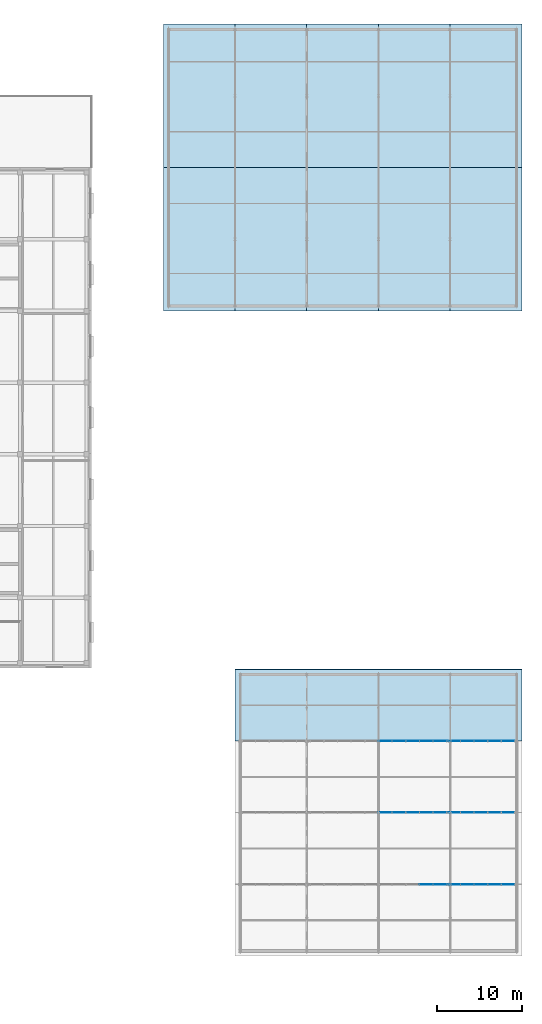
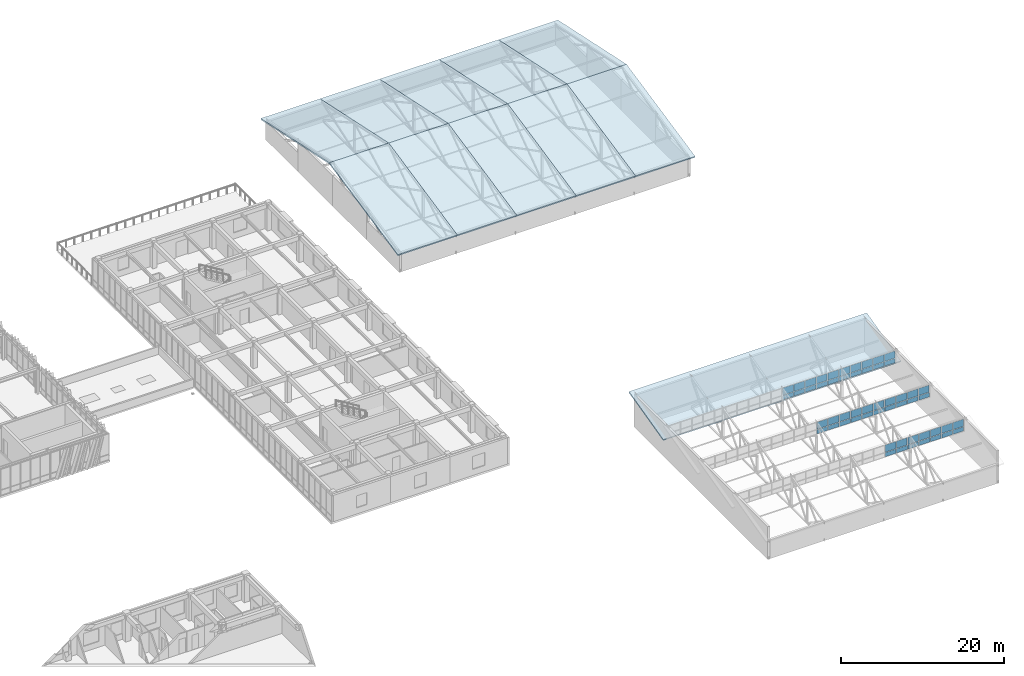
# One storey, part 96 of 123: 54 plates, 11 slabs, 3 elements without a shape of their own.
"""IFC4 building model written with IfcOpenShell, lengths in metres."""

from ifc_helpers import new_model, si_unit, direction, frame, origin, origin_2d, place, context, subcontext, project, spatial, polyline, rectangle, outline, extrude, material, layer, layer_set, type_object, element, aggregate, save


model = new_model("IFC4")

# Units and contexts
model_context = context("Model", 3, precision=1e-05, world=origin(), true_north=direction((0.0, 1.0)))
body_context = subcontext(model_context, "Body", "Model", "MODEL_VIEW")
ifc_project = project(units=[si_unit("LENGTHUNIT", "METRE"), si_unit("AREAUNIT", "SQUARE_METRE"), si_unit("VOLUMEUNIT", "CUBIC_METRE"), si_unit("PLANEANGLEUNIT", "RADIAN"), si_unit("MASSUNIT", "GRAM", prefix="KILO")], contexts=[model_context])

# Site, building, storey
site_placement = place(None, origin())
site = spatial("IfcSite", under=ifc_project, at=site_placement, CompositionType="ELEMENT")
building_placement = place(site_placement, origin())
building = spatial("IfcBuilding", under=site, at=building_placement, Name="Zayran Congress Hotel", CompositionType="ELEMENT")
storey_placement = place(building_placement, frame((0.0, 0.0, 15.0)))
storey = spatial("IfcBuildingStorey", under=building, at=storey_placement, Name="L03", CompositionType="ELEMENT", Elevation=15.0)

# Slabs
ifc_material_1 = material(Name="Concrete C32/40", Category="concrete")
ifc_layer_1 = layer(ifc_material_1, 0.199951171875)
ifc_layer_set_1 = layer_set([ifc_layer_1], Name="Concrete C32/40")
slab_type = type_object("IfcSlabType", Name="SL-RF-200", PredefinedType="ROOF", material=ifc_layer_set_1)
for number, where, z_axis, x_axis, name in (
    (1, (142.800048828125, 84.39990234375, 2.85009765625), (0.0, -0.207902787091, 0.978149493237), (1.0, 0.0, 0.0), "SLB-V2-RF-S-1"),
    (2, (142.800048828125, 101.199951171875, 6.4208984375), (0.0, 0.207902787091, 0.978149493237), (1.0, 0.0, 0.0), "SLB-V2-RF-N-1"),
):
    element("IfcSlab", number, at=place(storey_placement, frame(where, z_axis=z_axis, x_axis=x_axis)), inside=storey, type_object=slab_type, Name=name, PredefinedType="ROOF", context=body_context, shape_type="SweptSolid", body=[
        extrude(outline(polyline([(0.0, 0.0), (8.39990234375, 0.0), (8.39990234375, 17.17533868215587), (0.0, 17.17533868215587), (0.0, 0.0)])), origin(), (0.0, 0.0, -1.0), 0.199951171875),
    ])
for number, where, z_axis, x_axis, name in (
    (3, (151.199951171875, 84.39990234375, 2.85009765625), (0.0, -0.207902787091, 0.978149493237), (1.0, 0.0, 0.0), "SLB-V2-RF-S-2"),
    (4, (151.199951171875, 101.199951171875, 6.4208984375), (0.0, 0.207902787091, 0.978149493237), (1.0, 0.0, 0.0), "SLB-V2-RF-N-2"),
):
    element("IfcSlab", number, at=place(storey_placement, frame(where, z_axis=z_axis, x_axis=x_axis)), inside=storey, type_object=slab_type, Name=name, PredefinedType="ROOF", context=body_context, shape_type="SweptSolid", body=[
        extrude(outline(polyline([(0.0, 0.0), (8.400146484375, 0.0), (8.400146484375, 17.17533868215587), (0.0, 17.17533868215587), (0.0, 0.0)])), origin(), (0.0, 0.0, -1.0), 0.199951171875),
    ])
for number, where, z_axis, x_axis, name in (
    (5, (159.60009765625, 84.39990234375, 2.85009765625), (0.0, -0.207902787091, 0.978149493237), (1.0, 0.0, 0.0), "SLB-V2-RF-S-3"),
    (6, (159.60009765625, 101.199951171875, 6.4208984375), (0.0, 0.207902787091, 0.978149493237), (1.0, 0.0, 0.0), "SLB-V2-RF-N-3"),
    (7, (168.0, 84.39990234375, 2.85009765625), (0.0, -0.207902787091, 0.978149493237), (1.0, 0.0, 0.0), "SLB-V2-RF-S-4"),
    (8, (168.0, 101.199951171875, 6.4208984375), (0.0, 0.207902787091, 0.978149493237), (1.0, 0.0, 0.0), "SLB-V2-RF-N-4"),
):
    element("IfcSlab", number, at=place(storey_placement, frame(where, z_axis=z_axis, x_axis=x_axis)), inside=storey, type_object=slab_type, Name=name, PredefinedType="ROOF", context=body_context, shape_type="SweptSolid", body=[
        extrude(outline(polyline([(0.0, 0.0), (8.39990234375, 0.0), (8.39990234375, 17.17533868215587), (0.0, 17.17533868215587), (0.0, 0.0)])), origin(), (0.0, 0.0, -1.0), 0.199951171875),
    ])
for number, where, z_axis, x_axis, name in (
    (9, (176.39990234375, 84.39990234375, 2.85009765625), (0.0, -0.207902787091, 0.978149493237), (1.0, 0.0, 0.0), "SLB-V2-RF-S-5"),
    (10, (176.39990234375, 101.199951171875, 6.4208984375), (0.0, 0.207902787091, 0.978149493237), (1.0, 0.0, 0.0), "SLB-V2-RF-N-5"),
):
    element("IfcSlab", number, at=place(storey_placement, frame(where, z_axis=z_axis, x_axis=x_axis)), inside=storey, type_object=slab_type, Name=name, PredefinedType="ROOF", context=body_context, shape_type="SweptSolid", body=[
        extrude(outline(polyline([(0.0, 0.0), (8.400146484375, 0.0), (8.400146484375, 17.17533868215587), (0.0, 17.17533868215587), (0.0, 0.0)])), origin(), (0.0, 0.0, -1.0), 0.199951171875),
    ])
slab_placement = place(storey_placement, frame((151.199951171875, 34.0, 2.85009765625), z_axis=(0.0, -0.241911825737, 0.970298236919), x_axis=(1.0, 0.0, 0.0)))
element("IfcSlab", 11, at=slab_placement, inside=storey, type_object=slab_type, Name="SLB-V3-RF-4", PredefinedType="ROOF", context=body_context, shape_type="SweptSolid", body=[
    extrude(outline(polyline([(0.0, 0.0), (33.60009765625, 0.0), (33.60009765625, 8.657031440579946), (0.0, 8.657031440579946), (0.0, 0.0)])), origin(), (0.0, 0.0, -1.0), 0.199951171875),
])

# Curtain wall, plates
ifc_material_2 = material(Name="Anodised aluminium and low-E insulated glass", Category="aluminium")
ifc_layer_2 = layer(ifc_material_2, 0.179931640625)
ifc_layer_set_2 = layer_set([ifc_layer_2], Name="Anodised aluminium and low-E insulated glass")
curtain_wall_type = type_object("IfcCurtainWallType", Name="CW-V3SAW-L03-CW-V31-32000-1870", PredefinedType="USERDEFINED", material=ifc_layer_set_2)
curtain_wall_1_placement = place(storey_placement, origin())
curtain_wall_1 = element("IfcCurtainWall", 12, at=curtain_wall_1_placement, inside=storey, type_object=curtain_wall_type, Name="CW-V3SAW-1", ObjectType="CURTAIN WALL", PredefinedType="USERDEFINED")
ifc_layer_3 = layer(ifc_material_2, 0.028076171875)
ifc_layer_set_3 = layer_set([ifc_layer_3], Name="Anodised aluminium and low-E insulated glass")
plate_type_1 = type_object("IfcPlateType", Name="CWP-GL-1480-1060", PredefinedType="CURTAIN_PANEL", material=ifc_layer_set_3)
plate_1_placement = place(storey_placement, frame((183.179931640625, 17.199951171875, 3.599853515625), z_axis=(0.0, 0.0, 1.0), x_axis=(1.0, 0.0, 0.0)))
plate_1 = element("IfcPlate", 13, at=plate_1_placement, type_object=plate_type_1, Name="CW-V31 Glazed Panel 1", PredefinedType="CURTAIN_PANEL", context=body_context, shape_type="SweptSolid", body=[
    extrude(rectangle(XDim=1.47998046875, YDim=0.028076171875, at=origin_2d()), origin(), (0.0, 0.0, 1.0), 1.06005859375),
])
plate_2_placement = place(storey_placement, frame((181.60009765625, 17.199951171875, 3.599853515625), z_axis=(0.0, 0.0, 1.0), x_axis=(1.0, 0.0, 0.0)))
plate_2 = element("IfcPlate", 14, at=plate_2_placement, type_object=plate_type_1, Name="CW-V31 Glazed Panel 2", PredefinedType="CURTAIN_PANEL", context=body_context, shape_type="SweptSolid", body=[
    extrude(rectangle(XDim=1.52001953125, YDim=0.028076171875, at=origin_2d()), origin(), (0.0, 0.0, 1.0), 1.06005859375),
])
plate_3_placement = place(storey_placement, frame((180.0, 17.199951171875, 3.599853515625), z_axis=(0.0, 0.0, 1.0), x_axis=(1.0, 0.0, 0.0)))
plate_3 = element("IfcPlate", 15, at=plate_3_placement, type_object=plate_type_1, Name="CW-V31 Glazed Panel 3", PredefinedType="CURTAIN_PANEL", context=body_context, shape_type="SweptSolid", body=[
    extrude(rectangle(XDim=1.52001953125, YDim=0.028076171875, at=origin_2d()), origin(), (0.0, 0.0, 1.0), 1.06005859375),
])
plate_4_placement = place(storey_placement, frame((178.39990234375, 17.199951171875, 3.599853515625), z_axis=(0.0, 0.0, 1.0), x_axis=(1.0, 0.0, 0.0)))
plate_4 = element("IfcPlate", 16, at=plate_4_placement, type_object=plate_type_1, Name="CW-V31 Glazed Panel 4", PredefinedType="CURTAIN_PANEL", context=body_context, shape_type="SweptSolid", body=[
    extrude(rectangle(XDim=1.52001953125, YDim=0.028076171875, at=origin_2d()), origin(), (0.0, 0.0, 1.0), 1.06005859375),
])
plate_5_placement = place(storey_placement, frame((176.800048828125, 17.199951171875, 3.599853515625), z_axis=(0.0, 0.0, 1.0), x_axis=(1.0, 0.0, 0.0)))
plate_5 = element("IfcPlate", 17, at=plate_5_placement, type_object=plate_type_1, Name="CW-V31 Glazed Panel 5", PredefinedType="CURTAIN_PANEL", context=body_context, shape_type="SweptSolid", body=[
    extrude(rectangle(XDim=1.52001953125, YDim=0.028076171875, at=origin_2d()), origin(), (0.0, 0.0, 1.0), 1.06005859375),
])
plate_6_placement = place(storey_placement, frame((175.199951171875, 17.199951171875, 3.599853515625), z_axis=(0.0, 0.0, 1.0), x_axis=(1.0, 0.0, 0.0)))
plate_6 = element("IfcPlate", 18, at=plate_6_placement, type_object=plate_type_1, Name="CW-V31 Glazed Panel 6", PredefinedType="CURTAIN_PANEL", context=body_context, shape_type="SweptSolid", body=[
    extrude(rectangle(XDim=1.52001953125, YDim=0.028076171875, at=origin_2d()), origin(), (0.0, 0.0, 1.0), 1.06005859375),
])
plate_7_placement = place(storey_placement, frame((173.60009765625, 17.199951171875, 3.599853515625), z_axis=(0.0, 0.0, 1.0), x_axis=(1.0, 0.0, 0.0)))
plate_7 = element("IfcPlate", 19, at=plate_7_placement, type_object=plate_type_1, Name="CW-V31 Glazed Panel 7", PredefinedType="CURTAIN_PANEL", context=body_context, shape_type="SweptSolid", body=[
    extrude(rectangle(XDim=1.52001953125, YDim=0.028076171875, at=origin_2d()), origin(), (0.0, 0.0, 1.0), 1.06005859375),
])

curtain_wall_2_placement = place(storey_placement, origin())
curtain_wall_2 = element("IfcCurtainWall", 20, at=curtain_wall_2_placement, inside=storey, type_object=curtain_wall_type, Name="CW-V3SAW-2", ObjectType="CURTAIN WALL", PredefinedType="USERDEFINED")
plate_8_placement = place(storey_placement, frame((183.179931640625, 25.60009765625, 3.599853515625), z_axis=(0.0, 0.0, 1.0), x_axis=(1.0, 0.0, 0.0)))
plate_8 = element("IfcPlate", 21, at=plate_8_placement, type_object=plate_type_1, Name="CW-V31 Glazed Panel 1", PredefinedType="CURTAIN_PANEL", context=body_context, shape_type="SweptSolid", body=[
    extrude(rectangle(XDim=1.47998046875, YDim=0.028076171875, at=origin_2d()), origin(), (0.0, 0.0, 1.0), 1.06005859375),
])
plate_9_placement = place(storey_placement, frame((181.60009765625, 25.60009765625, 3.599853515625), z_axis=(0.0, 0.0, 1.0), x_axis=(1.0, 0.0, 0.0)))
plate_9 = element("IfcPlate", 22, at=plate_9_placement, type_object=plate_type_1, Name="CW-V31 Glazed Panel 2", PredefinedType="CURTAIN_PANEL", context=body_context, shape_type="SweptSolid", body=[
    extrude(rectangle(XDim=1.52001953125, YDim=0.028076171875, at=origin_2d()), origin(), (0.0, 0.0, 1.0), 1.06005859375),
])
plate_10_placement = place(storey_placement, frame((180.0, 25.60009765625, 3.599853515625), z_axis=(0.0, 0.0, 1.0), x_axis=(1.0, 0.0, 0.0)))
plate_10 = element("IfcPlate", 23, at=plate_10_placement, type_object=plate_type_1, Name="CW-V31 Glazed Panel 3", PredefinedType="CURTAIN_PANEL", context=body_context, shape_type="SweptSolid", body=[
    extrude(rectangle(XDim=1.52001953125, YDim=0.028076171875, at=origin_2d()), origin(), (0.0, 0.0, 1.0), 1.06005859375),
])
plate_11_placement = place(storey_placement, frame((178.39990234375, 25.60009765625, 3.599853515625), z_axis=(0.0, 0.0, 1.0), x_axis=(1.0, 0.0, 0.0)))
plate_11 = element("IfcPlate", 24, at=plate_11_placement, type_object=plate_type_1, Name="CW-V31 Glazed Panel 4", PredefinedType="CURTAIN_PANEL", context=body_context, shape_type="SweptSolid", body=[
    extrude(rectangle(XDim=1.52001953125, YDim=0.028076171875, at=origin_2d()), origin(), (0.0, 0.0, 1.0), 1.06005859375),
])
plate_12_placement = place(storey_placement, frame((176.800048828125, 25.60009765625, 3.599853515625), z_axis=(0.0, 0.0, 1.0), x_axis=(1.0, 0.0, 0.0)))
plate_12 = element("IfcPlate", 25, at=plate_12_placement, type_object=plate_type_1, Name="CW-V31 Glazed Panel 5", PredefinedType="CURTAIN_PANEL", context=body_context, shape_type="SweptSolid", body=[
    extrude(rectangle(XDim=1.52001953125, YDim=0.028076171875, at=origin_2d()), origin(), (0.0, 0.0, 1.0), 1.06005859375),
])
plate_13_placement = place(storey_placement, frame((175.199951171875, 25.60009765625, 3.599853515625), z_axis=(0.0, 0.0, 1.0), x_axis=(1.0, 0.0, 0.0)))
plate_13 = element("IfcPlate", 26, at=plate_13_placement, type_object=plate_type_1, Name="CW-V31 Glazed Panel 6", PredefinedType="CURTAIN_PANEL", context=body_context, shape_type="SweptSolid", body=[
    extrude(rectangle(XDim=1.52001953125, YDim=0.028076171875, at=origin_2d()), origin(), (0.0, 0.0, 1.0), 1.06005859375),
])
plate_14_placement = place(storey_placement, frame((173.60009765625, 25.60009765625, 3.599853515625), z_axis=(0.0, 0.0, 1.0), x_axis=(1.0, 0.0, 0.0)))
plate_14 = element("IfcPlate", 27, at=plate_14_placement, type_object=plate_type_1, Name="CW-V31 Glazed Panel 7", PredefinedType="CURTAIN_PANEL", context=body_context, shape_type="SweptSolid", body=[
    extrude(rectangle(XDim=1.52001953125, YDim=0.028076171875, at=origin_2d()), origin(), (0.0, 0.0, 1.0), 1.06005859375),
])
plate_15_placement = place(storey_placement, frame((172.0, 25.60009765625, 3.599853515625), z_axis=(0.0, 0.0, 1.0), x_axis=(1.0, 0.0, 0.0)))
plate_15 = element("IfcPlate", 28, at=plate_15_placement, type_object=plate_type_1, Name="CW-V31 Glazed Panel 8", PredefinedType="CURTAIN_PANEL", context=body_context, shape_type="SweptSolid", body=[
    extrude(rectangle(XDim=1.52001953125, YDim=0.028076171875, at=origin_2d()), origin(), (0.0, 0.0, 1.0), 1.06005859375),
])
plate_16_placement = place(storey_placement, frame((170.39990234375, 25.60009765625, 3.599853515625), z_axis=(0.0, 0.0, 1.0), x_axis=(1.0, 0.0, 0.0)))
plate_16 = element("IfcPlate", 29, at=plate_16_placement, type_object=plate_type_1, Name="CW-V31 Glazed Panel 9", PredefinedType="CURTAIN_PANEL", context=body_context, shape_type="SweptSolid", body=[
    extrude(rectangle(XDim=1.52001953125, YDim=0.028076171875, at=origin_2d()), origin(), (0.0, 0.0, 1.0), 1.06005859375),
])
plate_17_placement = place(storey_placement, frame((168.800048828125, 25.60009765625, 3.599853515625), z_axis=(0.0, 0.0, 1.0), x_axis=(1.0, 0.0, 0.0)))
plate_17 = element("IfcPlate", 30, at=plate_17_placement, type_object=plate_type_1, Name="CW-V31 Glazed Panel 10", PredefinedType="CURTAIN_PANEL", context=body_context, shape_type="SweptSolid", body=[
    extrude(rectangle(XDim=1.52001953125, YDim=0.028076171875, at=origin_2d()), origin(), (0.0, 0.0, 1.0), 1.06005859375),
])

curtain_wall_3_placement = place(storey_placement, origin())
curtain_wall_3 = element("IfcCurtainWall", 31, at=curtain_wall_3_placement, inside=storey, type_object=curtain_wall_type, Name="CW-V3SAW-3", ObjectType="CURTAIN WALL", PredefinedType="USERDEFINED")
plate_18_placement = place(storey_placement, frame((183.179931640625, 34.0, 3.599853515625), z_axis=(0.0, 0.0, 1.0), x_axis=(1.0, 0.0, 0.0)))
plate_18 = element("IfcPlate", 32, at=plate_18_placement, type_object=plate_type_1, Name="CW-V31 Glazed Panel 1", PredefinedType="CURTAIN_PANEL", context=body_context, shape_type="SweptSolid", body=[
    extrude(rectangle(XDim=1.47998046875, YDim=0.028076171875, at=origin_2d()), origin(), (0.0, 0.0, 1.0), 1.06005859375),
])
plate_19_placement = place(storey_placement, frame((181.60009765625, 34.0, 3.599853515625), z_axis=(0.0, 0.0, 1.0), x_axis=(1.0, 0.0, 0.0)))
plate_19 = element("IfcPlate", 33, at=plate_19_placement, type_object=plate_type_1, Name="CW-V31 Glazed Panel 2", PredefinedType="CURTAIN_PANEL", context=body_context, shape_type="SweptSolid", body=[
    extrude(rectangle(XDim=1.52001953125, YDim=0.028076171875, at=origin_2d()), origin(), (0.0, 0.0, 1.0), 1.06005859375),
])
plate_20_placement = place(storey_placement, frame((180.0, 34.0, 3.599853515625), z_axis=(0.0, 0.0, 1.0), x_axis=(1.0, 0.0, 0.0)))
plate_20 = element("IfcPlate", 34, at=plate_20_placement, type_object=plate_type_1, Name="CW-V31 Glazed Panel 3", PredefinedType="CURTAIN_PANEL", context=body_context, shape_type="SweptSolid", body=[
    extrude(rectangle(XDim=1.52001953125, YDim=0.028076171875, at=origin_2d()), origin(), (0.0, 0.0, 1.0), 1.06005859375),
])
plate_21_placement = place(storey_placement, frame((178.39990234375, 34.0, 3.599853515625), z_axis=(0.0, 0.0, 1.0), x_axis=(1.0, 0.0, 0.0)))
plate_21 = element("IfcPlate", 35, at=plate_21_placement, type_object=plate_type_1, Name="CW-V31 Glazed Panel 4", PredefinedType="CURTAIN_PANEL", context=body_context, shape_type="SweptSolid", body=[
    extrude(rectangle(XDim=1.52001953125, YDim=0.028076171875, at=origin_2d()), origin(), (0.0, 0.0, 1.0), 1.06005859375),
])
plate_22_placement = place(storey_placement, frame((176.800048828125, 34.0, 3.599853515625), z_axis=(0.0, 0.0, 1.0), x_axis=(1.0, 0.0, 0.0)))
plate_22 = element("IfcPlate", 36, at=plate_22_placement, type_object=plate_type_1, Name="CW-V31 Glazed Panel 5", PredefinedType="CURTAIN_PANEL", context=body_context, shape_type="SweptSolid", body=[
    extrude(rectangle(XDim=1.52001953125, YDim=0.028076171875, at=origin_2d()), origin(), (0.0, 0.0, 1.0), 1.06005859375),
])
plate_23_placement = place(storey_placement, frame((175.199951171875, 34.0, 3.599853515625), z_axis=(0.0, 0.0, 1.0), x_axis=(1.0, 0.0, 0.0)))
plate_23 = element("IfcPlate", 37, at=plate_23_placement, type_object=plate_type_1, Name="CW-V31 Glazed Panel 6", PredefinedType="CURTAIN_PANEL", context=body_context, shape_type="SweptSolid", body=[
    extrude(rectangle(XDim=1.52001953125, YDim=0.028076171875, at=origin_2d()), origin(), (0.0, 0.0, 1.0), 1.06005859375),
])
plate_24_placement = place(storey_placement, frame((173.60009765625, 34.0, 3.599853515625), z_axis=(0.0, 0.0, 1.0), x_axis=(1.0, 0.0, 0.0)))
plate_24 = element("IfcPlate", 38, at=plate_24_placement, type_object=plate_type_1, Name="CW-V31 Glazed Panel 7", PredefinedType="CURTAIN_PANEL", context=body_context, shape_type="SweptSolid", body=[
    extrude(rectangle(XDim=1.52001953125, YDim=0.028076171875, at=origin_2d()), origin(), (0.0, 0.0, 1.0), 1.06005859375),
])
plate_25_placement = place(storey_placement, frame((172.0, 34.0, 3.599853515625), z_axis=(0.0, 0.0, 1.0), x_axis=(1.0, 0.0, 0.0)))
plate_25 = element("IfcPlate", 39, at=plate_25_placement, type_object=plate_type_1, Name="CW-V31 Glazed Panel 8", PredefinedType="CURTAIN_PANEL", context=body_context, shape_type="SweptSolid", body=[
    extrude(rectangle(XDim=1.52001953125, YDim=0.028076171875, at=origin_2d()), origin(), (0.0, 0.0, 1.0), 1.06005859375),
])
plate_26_placement = place(storey_placement, frame((170.39990234375, 34.0, 3.599853515625), z_axis=(0.0, 0.0, 1.0), x_axis=(1.0, 0.0, 0.0)))
plate_26 = element("IfcPlate", 40, at=plate_26_placement, type_object=plate_type_1, Name="CW-V31 Glazed Panel 9", PredefinedType="CURTAIN_PANEL", context=body_context, shape_type="SweptSolid", body=[
    extrude(rectangle(XDim=1.52001953125, YDim=0.028076171875, at=origin_2d()), origin(), (0.0, 0.0, 1.0), 1.06005859375),
])
plate_27_placement = place(storey_placement, frame((168.800048828125, 34.0, 3.599853515625), z_axis=(0.0, 0.0, 1.0), x_axis=(1.0, 0.0, 0.0)))
plate_27 = element("IfcPlate", 41, at=plate_27_placement, type_object=plate_type_1, Name="CW-V31 Glazed Panel 10", PredefinedType="CURTAIN_PANEL", context=body_context, shape_type="SweptSolid", body=[
    extrude(rectangle(XDim=1.52001953125, YDim=0.028076171875, at=origin_2d()), origin(), (0.0, 0.0, 1.0), 1.06005859375),
])

# Plate
ifc_material_3 = material(Name="Insulated warm bronze aluminium spandrel panel", Category="aluminium")
ifc_layer_4 = layer(ifc_material_3, 0.06005859375)
ifc_layer_set_4 = layer_set([ifc_layer_4], Name="Insulated warm bronze aluminium spandrel panel")
plate_type_2 = type_object("IfcPlateType", Name="CWP-SP-1480-630", PredefinedType="CURTAIN_PANEL", material=ifc_layer_set_4)
plate_28_placement = place(storey_placement, frame((183.179931640625, 17.199951171875, 2.91015625), z_axis=(0.0, 0.0, 1.0), x_axis=(1.0, 0.0, 0.0)))
plate_28 = element("IfcPlate", 42, at=plate_28_placement, type_object=plate_type_2, Name="CW-V31 Spandrel Panel 1", PredefinedType="CURTAIN_PANEL", context=body_context, shape_type="SweptSolid", body=[
    extrude(rectangle(XDim=1.47998046875, YDim=0.06005859375, at=origin_2d()), origin(), (0.0, 0.0, 1.0), 0.6298828125),
])

plate_29_placement = place(storey_placement, frame((181.60009765625, 17.199951171875, 2.91015625), z_axis=(0.0, 0.0, 1.0), x_axis=(1.0, 0.0, 0.0)))
plate_29 = element("IfcPlate", 43, at=plate_29_placement, type_object=plate_type_2, Name="CW-V31 Spandrel Panel 2", PredefinedType="CURTAIN_PANEL", context=body_context, shape_type="SweptSolid", body=[
    extrude(rectangle(XDim=1.52001953125, YDim=0.06005859375, at=origin_2d()), origin(), (0.0, 0.0, 1.0), 0.6298828125),
])

plate_30_placement = place(storey_placement, frame((180.0, 17.199951171875, 2.91015625), z_axis=(0.0, 0.0, 1.0), x_axis=(1.0, 0.0, 0.0)))
plate_30 = element("IfcPlate", 44, at=plate_30_placement, type_object=plate_type_2, Name="CW-V31 Spandrel Panel 3", PredefinedType="CURTAIN_PANEL", context=body_context, shape_type="SweptSolid", body=[
    extrude(rectangle(XDim=1.52001953125, YDim=0.06005859375, at=origin_2d()), origin(), (0.0, 0.0, 1.0), 0.6298828125),
])

plate_31_placement = place(storey_placement, frame((178.39990234375, 17.199951171875, 2.91015625), z_axis=(0.0, 0.0, 1.0), x_axis=(1.0, 0.0, 0.0)))
plate_31 = element("IfcPlate", 45, at=plate_31_placement, type_object=plate_type_2, Name="CW-V31 Spandrel Panel 4", PredefinedType="CURTAIN_PANEL", context=body_context, shape_type="SweptSolid", body=[
    extrude(rectangle(XDim=1.52001953125, YDim=0.06005859375, at=origin_2d()), origin(), (0.0, 0.0, 1.0), 0.6298828125),
])

plate_32_placement = place(storey_placement, frame((176.800048828125, 17.199951171875, 2.91015625), z_axis=(0.0, 0.0, 1.0), x_axis=(1.0, 0.0, 0.0)))
plate_32 = element("IfcPlate", 46, at=plate_32_placement, type_object=plate_type_2, Name="CW-V31 Spandrel Panel 5", PredefinedType="CURTAIN_PANEL", context=body_context, shape_type="SweptSolid", body=[
    extrude(rectangle(XDim=1.52001953125, YDim=0.06005859375, at=origin_2d()), origin(), (0.0, 0.0, 1.0), 0.6298828125),
])

plate_33_placement = place(storey_placement, frame((175.199951171875, 17.199951171875, 2.91015625), z_axis=(0.0, 0.0, 1.0), x_axis=(1.0, 0.0, 0.0)))
plate_33 = element("IfcPlate", 47, at=plate_33_placement, type_object=plate_type_2, Name="CW-V31 Spandrel Panel 6", PredefinedType="CURTAIN_PANEL", context=body_context, shape_type="SweptSolid", body=[
    extrude(rectangle(XDim=1.52001953125, YDim=0.06005859375, at=origin_2d()), origin(), (0.0, 0.0, 1.0), 0.6298828125),
])

plate_34_placement = place(storey_placement, frame((173.60009765625, 17.199951171875, 2.91015625), z_axis=(0.0, 0.0, 1.0), x_axis=(1.0, 0.0, 0.0)))
plate_34 = element("IfcPlate", 48, at=plate_34_placement, type_object=plate_type_2, Name="CW-V31 Spandrel Panel 7", PredefinedType="CURTAIN_PANEL", context=body_context, shape_type="SweptSolid", body=[
    extrude(rectangle(XDim=1.52001953125, YDim=0.06005859375, at=origin_2d()), origin(), (0.0, 0.0, 1.0), 0.6298828125),
])

aggregate(curtain_wall_1, [plate_28, plate_1, plate_29, plate_2, plate_30, plate_3, plate_31, plate_4, plate_32, plate_5, plate_33, plate_6, plate_34, plate_7])

plate_35_placement = place(storey_placement, frame((183.179931640625, 25.60009765625, 2.91015625), z_axis=(0.0, 0.0, 1.0), x_axis=(1.0, 0.0, 0.0)))
plate_35 = element("IfcPlate", 49, at=plate_35_placement, type_object=plate_type_2, Name="CW-V31 Spandrel Panel 1", PredefinedType="CURTAIN_PANEL", context=body_context, shape_type="SweptSolid", body=[
    extrude(rectangle(XDim=1.47998046875, YDim=0.06005859375, at=origin_2d()), origin(), (0.0, 0.0, 1.0), 0.6298828125),
])

plate_36_placement = place(storey_placement, frame((181.60009765625, 25.60009765625, 2.91015625), z_axis=(0.0, 0.0, 1.0), x_axis=(1.0, 0.0, 0.0)))
plate_36 = element("IfcPlate", 50, at=plate_36_placement, type_object=plate_type_2, Name="CW-V31 Spandrel Panel 2", PredefinedType="CURTAIN_PANEL", context=body_context, shape_type="SweptSolid", body=[
    extrude(rectangle(XDim=1.52001953125, YDim=0.06005859375, at=origin_2d()), origin(), (0.0, 0.0, 1.0), 0.6298828125),
])

plate_37_placement = place(storey_placement, frame((180.0, 25.60009765625, 2.91015625), z_axis=(0.0, 0.0, 1.0), x_axis=(1.0, 0.0, 0.0)))
plate_37 = element("IfcPlate", 51, at=plate_37_placement, type_object=plate_type_2, Name="CW-V31 Spandrel Panel 3", PredefinedType="CURTAIN_PANEL", context=body_context, shape_type="SweptSolid", body=[
    extrude(rectangle(XDim=1.52001953125, YDim=0.06005859375, at=origin_2d()), origin(), (0.0, 0.0, 1.0), 0.6298828125),
])

plate_38_placement = place(storey_placement, frame((178.39990234375, 25.60009765625, 2.91015625), z_axis=(0.0, 0.0, 1.0), x_axis=(1.0, 0.0, 0.0)))
plate_38 = element("IfcPlate", 52, at=plate_38_placement, type_object=plate_type_2, Name="CW-V31 Spandrel Panel 4", PredefinedType="CURTAIN_PANEL", context=body_context, shape_type="SweptSolid", body=[
    extrude(rectangle(XDim=1.52001953125, YDim=0.06005859375, at=origin_2d()), origin(), (0.0, 0.0, 1.0), 0.6298828125),
])

plate_39_placement = place(storey_placement, frame((176.800048828125, 25.60009765625, 2.91015625), z_axis=(0.0, 0.0, 1.0), x_axis=(1.0, 0.0, 0.0)))
plate_39 = element("IfcPlate", 53, at=plate_39_placement, type_object=plate_type_2, Name="CW-V31 Spandrel Panel 5", PredefinedType="CURTAIN_PANEL", context=body_context, shape_type="SweptSolid", body=[
    extrude(rectangle(XDim=1.52001953125, YDim=0.06005859375, at=origin_2d()), origin(), (0.0, 0.0, 1.0), 0.6298828125),
])

plate_40_placement = place(storey_placement, frame((175.199951171875, 25.60009765625, 2.91015625), z_axis=(0.0, 0.0, 1.0), x_axis=(1.0, 0.0, 0.0)))
plate_40 = element("IfcPlate", 54, at=plate_40_placement, type_object=plate_type_2, Name="CW-V31 Spandrel Panel 6", PredefinedType="CURTAIN_PANEL", context=body_context, shape_type="SweptSolid", body=[
    extrude(rectangle(XDim=1.52001953125, YDim=0.06005859375, at=origin_2d()), origin(), (0.0, 0.0, 1.0), 0.6298828125),
])

plate_41_placement = place(storey_placement, frame((173.60009765625, 25.60009765625, 2.91015625), z_axis=(0.0, 0.0, 1.0), x_axis=(1.0, 0.0, 0.0)))
plate_41 = element("IfcPlate", 55, at=plate_41_placement, type_object=plate_type_2, Name="CW-V31 Spandrel Panel 7", PredefinedType="CURTAIN_PANEL", context=body_context, shape_type="SweptSolid", body=[
    extrude(rectangle(XDim=1.52001953125, YDim=0.06005859375, at=origin_2d()), origin(), (0.0, 0.0, 1.0), 0.6298828125),
])

plate_42_placement = place(storey_placement, frame((172.0, 25.60009765625, 2.91015625), z_axis=(0.0, 0.0, 1.0), x_axis=(1.0, 0.0, 0.0)))
plate_42 = element("IfcPlate", 56, at=plate_42_placement, type_object=plate_type_2, Name="CW-V31 Spandrel Panel 8", PredefinedType="CURTAIN_PANEL", context=body_context, shape_type="SweptSolid", body=[
    extrude(rectangle(XDim=1.52001953125, YDim=0.06005859375, at=origin_2d()), origin(), (0.0, 0.0, 1.0), 0.6298828125),
])

plate_43_placement = place(storey_placement, frame((170.39990234375, 25.60009765625, 2.91015625), z_axis=(0.0, 0.0, 1.0), x_axis=(1.0, 0.0, 0.0)))
plate_43 = element("IfcPlate", 57, at=plate_43_placement, type_object=plate_type_2, Name="CW-V31 Spandrel Panel 9", PredefinedType="CURTAIN_PANEL", context=body_context, shape_type="SweptSolid", body=[
    extrude(rectangle(XDim=1.52001953125, YDim=0.06005859375, at=origin_2d()), origin(), (0.0, 0.0, 1.0), 0.6298828125),
])

plate_44_placement = place(storey_placement, frame((168.800048828125, 25.60009765625, 2.91015625), z_axis=(0.0, 0.0, 1.0), x_axis=(1.0, 0.0, 0.0)))
plate_44 = element("IfcPlate", 58, at=plate_44_placement, type_object=plate_type_2, Name="CW-V31 Spandrel Panel 10", PredefinedType="CURTAIN_PANEL", context=body_context, shape_type="SweptSolid", body=[
    extrude(rectangle(XDim=1.52001953125, YDim=0.06005859375, at=origin_2d()), origin(), (0.0, 0.0, 1.0), 0.6298828125),
])

aggregate(curtain_wall_2, [plate_35, plate_8, plate_36, plate_9, plate_37, plate_10, plate_38, plate_11, plate_39, plate_12, plate_40, plate_13, plate_41, plate_14, plate_42, plate_15, plate_43, plate_16, plate_44, plate_17])

plate_45_placement = place(storey_placement, frame((183.179931640625, 34.0, 2.91015625), z_axis=(0.0, 0.0, 1.0), x_axis=(1.0, 0.0, 0.0)))
plate_45 = element("IfcPlate", 59, at=plate_45_placement, type_object=plate_type_2, Name="CW-V31 Spandrel Panel 1", PredefinedType="CURTAIN_PANEL", context=body_context, shape_type="SweptSolid", body=[
    extrude(rectangle(XDim=1.47998046875, YDim=0.06005859375, at=origin_2d()), origin(), (0.0, 0.0, 1.0), 0.6298828125),
])

plate_46_placement = place(storey_placement, frame((181.60009765625, 34.0, 2.91015625), z_axis=(0.0, 0.0, 1.0), x_axis=(1.0, 0.0, 0.0)))
plate_46 = element("IfcPlate", 60, at=plate_46_placement, type_object=plate_type_2, Name="CW-V31 Spandrel Panel 2", PredefinedType="CURTAIN_PANEL", context=body_context, shape_type="SweptSolid", body=[
    extrude(rectangle(XDim=1.52001953125, YDim=0.06005859375, at=origin_2d()), origin(), (0.0, 0.0, 1.0), 0.6298828125),
])

plate_47_placement = place(storey_placement, frame((180.0, 34.0, 2.91015625), z_axis=(0.0, 0.0, 1.0), x_axis=(1.0, 0.0, 0.0)))
plate_47 = element("IfcPlate", 61, at=plate_47_placement, type_object=plate_type_2, Name="CW-V31 Spandrel Panel 3", PredefinedType="CURTAIN_PANEL", context=body_context, shape_type="SweptSolid", body=[
    extrude(rectangle(XDim=1.52001953125, YDim=0.06005859375, at=origin_2d()), origin(), (0.0, 0.0, 1.0), 0.6298828125),
])

plate_48_placement = place(storey_placement, frame((178.39990234375, 34.0, 2.91015625), z_axis=(0.0, 0.0, 1.0), x_axis=(1.0, 0.0, 0.0)))
plate_48 = element("IfcPlate", 62, at=plate_48_placement, type_object=plate_type_2, Name="CW-V31 Spandrel Panel 4", PredefinedType="CURTAIN_PANEL", context=body_context, shape_type="SweptSolid", body=[
    extrude(rectangle(XDim=1.52001953125, YDim=0.06005859375, at=origin_2d()), origin(), (0.0, 0.0, 1.0), 0.6298828125),
])

plate_49_placement = place(storey_placement, frame((176.800048828125, 34.0, 2.91015625), z_axis=(0.0, 0.0, 1.0), x_axis=(1.0, 0.0, 0.0)))
plate_49 = element("IfcPlate", 63, at=plate_49_placement, type_object=plate_type_2, Name="CW-V31 Spandrel Panel 5", PredefinedType="CURTAIN_PANEL", context=body_context, shape_type="SweptSolid", body=[
    extrude(rectangle(XDim=1.52001953125, YDim=0.06005859375, at=origin_2d()), origin(), (0.0, 0.0, 1.0), 0.6298828125),
])

plate_50_placement = place(storey_placement, frame((175.199951171875, 34.0, 2.91015625), z_axis=(0.0, 0.0, 1.0), x_axis=(1.0, 0.0, 0.0)))
plate_50 = element("IfcPlate", 64, at=plate_50_placement, type_object=plate_type_2, Name="CW-V31 Spandrel Panel 6", PredefinedType="CURTAIN_PANEL", context=body_context, shape_type="SweptSolid", body=[
    extrude(rectangle(XDim=1.52001953125, YDim=0.06005859375, at=origin_2d()), origin(), (0.0, 0.0, 1.0), 0.6298828125),
])

plate_51_placement = place(storey_placement, frame((173.60009765625, 34.0, 2.91015625), z_axis=(0.0, 0.0, 1.0), x_axis=(1.0, 0.0, 0.0)))
plate_51 = element("IfcPlate", 65, at=plate_51_placement, type_object=plate_type_2, Name="CW-V31 Spandrel Panel 7", PredefinedType="CURTAIN_PANEL", context=body_context, shape_type="SweptSolid", body=[
    extrude(rectangle(XDim=1.52001953125, YDim=0.06005859375, at=origin_2d()), origin(), (0.0, 0.0, 1.0), 0.6298828125),
])

plate_52_placement = place(storey_placement, frame((172.0, 34.0, 2.91015625), z_axis=(0.0, 0.0, 1.0), x_axis=(1.0, 0.0, 0.0)))
plate_52 = element("IfcPlate", 66, at=plate_52_placement, type_object=plate_type_2, Name="CW-V31 Spandrel Panel 8", PredefinedType="CURTAIN_PANEL", context=body_context, shape_type="SweptSolid", body=[
    extrude(rectangle(XDim=1.52001953125, YDim=0.06005859375, at=origin_2d()), origin(), (0.0, 0.0, 1.0), 0.6298828125),
])

plate_53_placement = place(storey_placement, frame((170.39990234375, 34.0, 2.91015625), z_axis=(0.0, 0.0, 1.0), x_axis=(1.0, 0.0, 0.0)))
plate_53 = element("IfcPlate", 67, at=plate_53_placement, type_object=plate_type_2, Name="CW-V31 Spandrel Panel 9", PredefinedType="CURTAIN_PANEL", context=body_context, shape_type="SweptSolid", body=[
    extrude(rectangle(XDim=1.52001953125, YDim=0.06005859375, at=origin_2d()), origin(), (0.0, 0.0, 1.0), 0.6298828125),
])

plate_54_placement = place(storey_placement, frame((168.800048828125, 34.0, 2.91015625), z_axis=(0.0, 0.0, 1.0), x_axis=(1.0, 0.0, 0.0)))
plate_54 = element("IfcPlate", 68, at=plate_54_placement, type_object=plate_type_2, Name="CW-V31 Spandrel Panel 10", PredefinedType="CURTAIN_PANEL", context=body_context, shape_type="SweptSolid", body=[
    extrude(rectangle(XDim=1.52001953125, YDim=0.06005859375, at=origin_2d()), origin(), (0.0, 0.0, 1.0), 0.6298828125),
])

aggregate(curtain_wall_3, [plate_45, plate_18, plate_46, plate_19, plate_47, plate_20, plate_48, plate_21, plate_49, plate_22, plate_50, plate_23, plate_51, plate_24, plate_52, plate_25, plate_53, plate_26, plate_54, plate_27])

save(model, "model.ifc")
